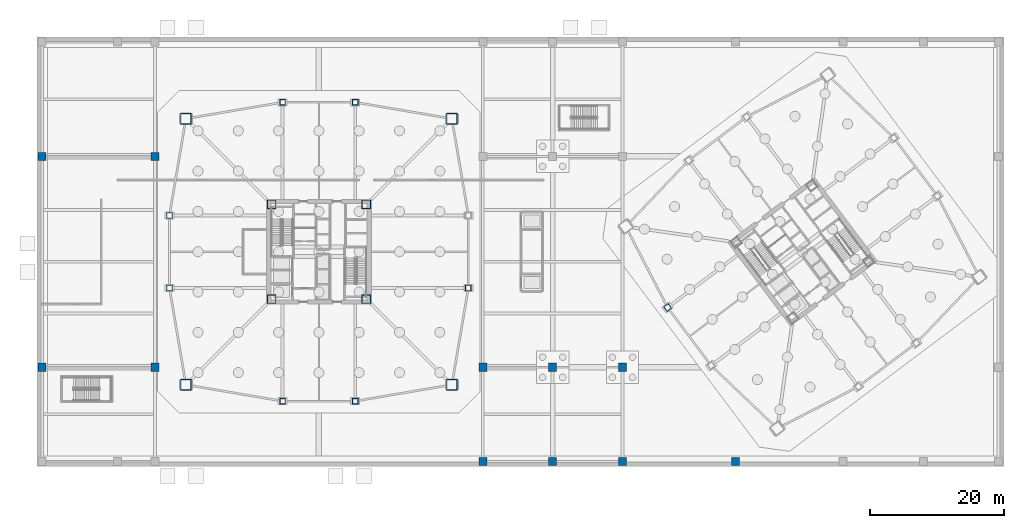
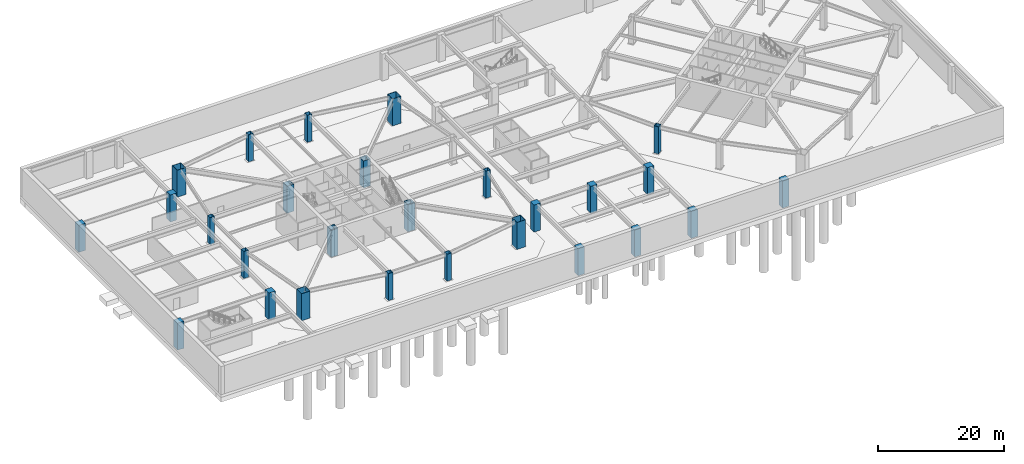
# One storey, part 2 of 19: 27 columns.
"""IFC4 building model written with IfcOpenShell, lengths in metres."""

from ifc_helpers import new_model, si_unit, direction, frame, origin, origin_2d, place, context, subcontext, project, spatial, rectangle, hollow_rectangle, extrude, material, material_profile, profile_set, type_object, element, save


model = new_model("IFC4")

# Units and contexts
model_context = context("Model", 3, precision=1e-05, world=origin(), true_north=direction((0.0, 1.0)))
body_context = subcontext(model_context, "Body", "Model", "MODEL_VIEW")
ifc_project = project(units=[si_unit("LENGTHUNIT", "METRE"), si_unit("AREAUNIT", "SQUARE_METRE"), si_unit("VOLUMEUNIT", "CUBIC_METRE"), si_unit("PLANEANGLEUNIT", "RADIAN"), si_unit("MASSUNIT", "GRAM", prefix="KILO")], contexts=[model_context])

# Site, building, storey
site_placement = place(None, origin())
site = spatial("IfcSite", under=ifc_project, at=site_placement, CompositionType="ELEMENT")
building_placement = place(site_placement, origin())
building = spatial("IfcBuilding", under=site, at=building_placement, Name="Tashvorn Skyway Center", CompositionType="ELEMENT")
storey_placement = place(building_placement, frame((0.0, 0.0, -11.0)))
storey = spatial("IfcBuildingStorey", under=building, at=storey_placement, Name="B2", CompositionType="ELEMENT", Elevation=-11.0)

# Columns
ifc_material_1 = material(Name="Steel ASTM A572 Grade 50", Category="steel")
ifc_material_profile_1 = material_profile(ifc_material_1, hollow_rectangle(XDim=1.300048828125, YDim=1.300048828125, WallThickness=0.050048828125, at=origin_2d()), Name="BOX1300x1300x50")
ifc_profile_set_1 = profile_set([ifc_material_profile_1], Name="Steel ASTM A572 Grade 50")
column_type_1 = type_object("IfcColumnType", Name="COL-BOX1300x1300x50", PredefinedType="COLUMN", material=ifc_profile_set_1)
for number, where, z_axis, x_axis, name in (
    (1, (34.949951171875, 24.949951171875, 0.0), (0.0, 0.0, 1.0), (1.0, 0.0, 0.0), "Tower 1 B2 Core Corner Column CC-SW"),
    (2, (49.050048828125, 24.949951171875, 0.0), (0.0, 0.0, 1.0), (1.0, 0.0, 0.0), "Tower 1 B2 Core Corner Column CC-SE"),
    (3, (49.050048828125, 39.050048828125, 0.0), (0.0, 0.0, 1.0), (1.0, 0.0, 0.0), "Tower 1 B2 Core Corner Column CC-NE"),
    (4, (34.949951171875, 39.050048828125, 0.0), (0.0, 0.0, 1.0), (1.0, 0.0, 0.0), "Tower 1 B2 Core Corner Column CC-NW"),
):
    element("IfcColumn", number, at=place(storey_placement, frame(where, z_axis=z_axis, x_axis=x_axis)), inside=storey, type_object=column_type_1, Name=name, PredefinedType="COLUMN", context=body_context, shape_type="SweptSolid", body=[
        extrude(hollow_rectangle(XDim=1.300048828125, YDim=1.300048828125, WallThickness=0.050048828125, at=origin_2d()), origin(), (0.0, 0.0, 1.0), 5.239990234375),
    ])
ifc_material_profile_2 = material_profile(ifc_material_1, hollow_rectangle(XDim=1.60009765625, YDim=1.60009765625, WallThickness=0.06005859375, at=origin_2d()), Name="BOX1600x1600x60")
ifc_profile_set_2 = profile_set([ifc_material_profile_2], Name="Steel ASTM A572 Grade 50")
column_type_2 = type_object("IfcColumnType", Name="COL-BOX1600x1600x60", PredefinedType="COLUMN", material=ifc_profile_set_2)
for number, where, z_axis, x_axis, name in (
    (5, (22.199951171875, 12.199951171875, 0.0), (0.0, 0.0, 1.0), (1.0, 0.0, 0.0), "Tower 1 B2 Mega-Column MC-SW"),
    (6, (61.800048828125, 12.199951171875, 0.0), (0.0, 0.0, 1.0), (1.0, 0.0, 0.0), "Tower 1 B2 Mega-Column MC-SE"),
    (7, (61.800048828125, 51.800048828125, 0.0), (0.0, 0.0, 1.0), (1.0, 0.0, 0.0), "Tower 1 B2 Mega-Column MC-NE"),
    (8, (22.199951171875, 51.800048828125, 0.0), (0.0, 0.0, 1.0), (1.0, 0.0, 0.0), "Tower 1 B2 Mega-Column MC-NW"),
):
    element("IfcColumn", number, at=place(storey_placement, frame(where, z_axis=z_axis, x_axis=x_axis)), inside=storey, type_object=column_type_2, Name=name, PredefinedType="COLUMN", context=body_context, shape_type="SweptSolid", body=[
        extrude(hollow_rectangle(XDim=1.60009765625, YDim=1.60009765625, WallThickness=0.06005859375, at=origin_2d()), origin(), (0.0, 0.0, 1.0), 5.239990234375),
    ])
ifc_material_profile_3 = material_profile(ifc_material_1, hollow_rectangle(XDim=0.85009765625, YDim=0.85009765625, WallThickness=0.034912109375, at=origin_2d()), Name="BOX850x850x35")
ifc_profile_set_3 = profile_set([ifc_material_profile_3], Name="Steel ASTM A572 Grade 50")
column_type_3 = type_object("IfcColumnType", Name="COL-BOX850x850x35", PredefinedType="COLUMN", material=ifc_profile_set_3)
for number, where, z_axis, x_axis, name in (
    (9, (36.60009765625, 9.75, 0.0), (0.0, 0.0, 1.0), (1.0, 0.0, 0.0), "Tower 1 B2 Perimeter Column FC-S1"),
    (10, (47.39990234375, 9.75, 0.0), (0.0, 0.0, 1.0), (1.0, 0.0, 0.0), "Tower 1 B2 Perimeter Column FC-S2"),
    (11, (64.25, 26.60009765625, 0.0), (0.0, 0.0, 1.0), (1.0, 0.0, 0.0), "Tower 1 B2 Perimeter Column FC-E1"),
    (12, (47.39990234375, 54.25, 0.0), (0.0, 0.0, 1.0), (1.0, 0.0, 0.0), "Tower 1 B2 Perimeter Column FC-N1"),
    (13, (36.60009765625, 54.25, 0.0), (0.0, 0.0, 1.0), (1.0, 0.0, 0.0), "Tower 1 B2 Perimeter Column FC-N2"),
    (14, (19.75, 37.39990234375, 0.0), (0.0, 0.0, 1.0), (1.0, 0.0, 0.0), "Tower 1 B2 Perimeter Column FC-W1"),
    (15, (19.75, 26.60009765625, 0.0), (0.0, 0.0, 1.0), (1.0, 0.0, 0.0), "Tower 1 B2 Perimeter Column FC-W2"),
    (16, (93.919921875, 23.68994140625, 0.0), (0.0, 0.0, 1.0), (0.799999996291, 0.600000004945, 0.0), "Tower 2 B2 Perimeter Column FC-W1"),
):
    element("IfcColumn", number, at=place(storey_placement, frame(where, z_axis=z_axis, x_axis=x_axis)), inside=storey, type_object=column_type_3, Name=name, PredefinedType="COLUMN", context=body_context, shape_type="SweptSolid", body=[
        extrude(hollow_rectangle(XDim=0.85009765625, YDim=0.85009765625, WallThickness=0.034912109375, at=origin_2d()), origin(), (0.0, 0.0, 1.0), 5.239990234375),
    ])
ifc_material_2 = material(Name="Concrete C50/60", Category="concrete")
ifc_material_profile_4 = material_profile(ifc_material_2, rectangle(XDim=1.199951171875, YDim=1.199951171875, at=origin_2d()), Name="RC1200x1200")
ifc_profile_set_4 = profile_set([ifc_material_profile_4], Name="Concrete C50/60")
column_type_4 = type_object("IfcColumnType", Name="COL-RC1200x1200", PredefinedType="COLUMN", material=ifc_profile_set_4)
for number, where, z_axis, x_axis, name in (
    (17, (66.39990234375, 0.800048828125, 0.0), (0.0, 0.0, 1.0), (1.0, 0.0, 0.0), "B2 Podium Column PC-04-1"),
    (18, (76.800048828125, 0.800048828125, 0.0), (0.0, 0.0, 1.0), (1.0, 0.0, 0.0), "B2 Podium Column PC-05-1"),
    (19, (87.199951171875, 0.800048828125, 0.0), (0.0, 0.0, 1.0), (1.0, 0.0, 0.0), "B2 Podium Column PC-06-1"),
    (20, (104.0, 0.800048828125, 0.0), (0.0, 0.0, 1.0), (1.0, 0.0, 0.0), "B2 Podium Column PC-07-1"),
    (21, (0.800048828125, 14.800048828125, 0.0), (0.0, 0.0, 1.0), (1.0, 0.0, 0.0), "B2 Podium Column PIC-01-1"),
    (22, (0.800048828125, 46.199951171875, 0.0), (0.0, 0.0, 1.0), (1.0, 0.0, 0.0), "B2 Podium Column PIC-01-2"),
    (23, (17.60009765625, 14.800048828125, 0.0), (0.0, 0.0, 1.0), (1.0, 0.0, 0.0), "B2 Podium Column PIC-02-1"),
    (24, (17.60009765625, 46.199951171875, 0.0), (0.0, 0.0, 1.0), (1.0, 0.0, 0.0), "B2 Podium Column PIC-02-2"),
    (25, (66.39990234375, 14.800048828125, 0.0), (0.0, 0.0, 1.0), (1.0, 0.0, 0.0), "B2 Podium Column PIC-03-1"),
    (26, (76.800048828125, 14.800048828125, 0.0), (0.0, 0.0, 1.0), (1.0, 0.0, 0.0), "B2 Podium Column PIC-04-1"),
    (27, (87.199951171875, 14.800048828125, 0.0), (0.0, 0.0, 1.0), (1.0, 0.0, 0.0), "B2 Podium Column PIC-05-1"),
):
    element("IfcColumn", number, at=place(storey_placement, frame(where, z_axis=z_axis, x_axis=x_axis)), inside=storey, type_object=column_type_4, Name=name, PredefinedType="COLUMN", context=body_context, shape_type="SweptSolid", body=[
        extrude(rectangle(XDim=1.199951171875, YDim=1.199951171875, at=origin_2d()), origin(), (0.0, 0.0, 1.0), 5.239990234375),
    ])

save(model, "model.ifc")
